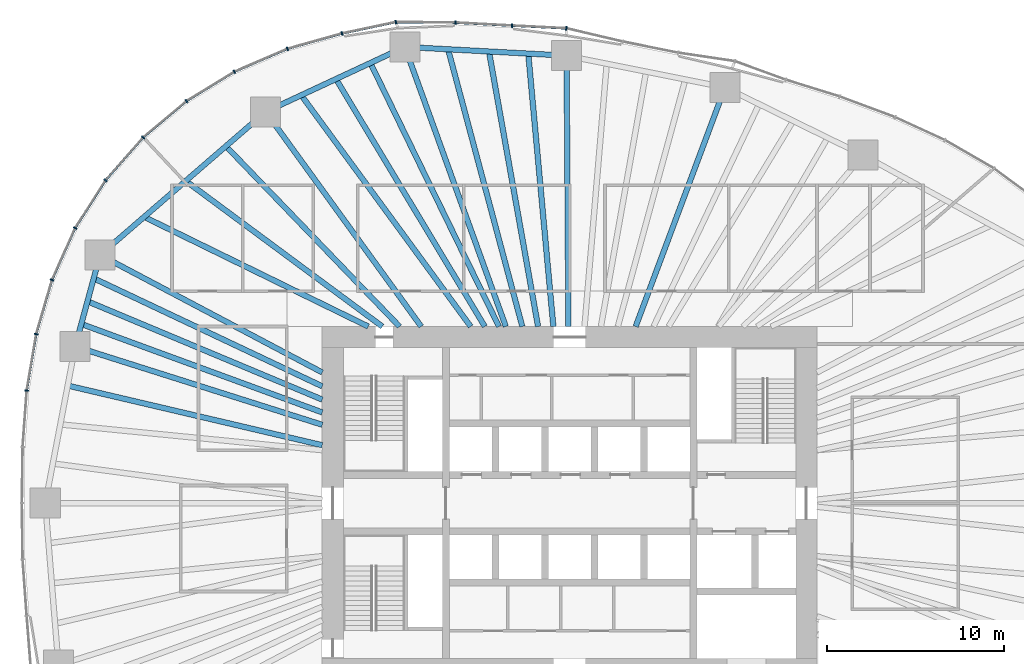
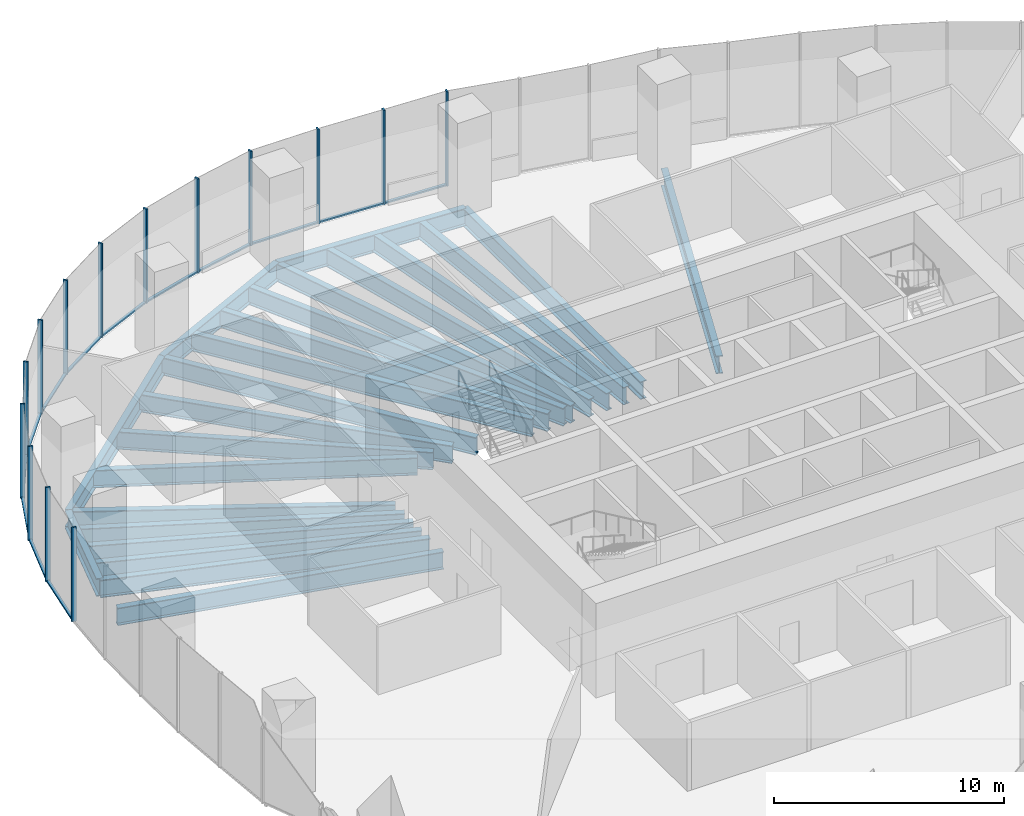
# One storey, part 5 of 19: 27 members, 23 beams, 5 elements without a shape of their own.
"""IFC4 building model written with IfcOpenShell, lengths in metres."""

from ifc_helpers import new_model, si_unit, direction, frame, origin, origin_2d, place, context, subcontext, project, spatial, rectangle, i_section, extrude, material, material_profile, profile_set, type_object, element, aggregate, save


model = new_model("IFC4")

# Units and contexts
model_context = context("Model", 3, precision=1e-05, world=origin(), true_north=direction((0.0, 1.0)))
body_context = subcontext(model_context, "Body", "Model", "MODEL_VIEW")
ifc_project = project(units=[si_unit("LENGTHUNIT", "METRE"), si_unit("AREAUNIT", "SQUARE_METRE"), si_unit("VOLUMEUNIT", "CUBIC_METRE"), si_unit("PLANEANGLEUNIT", "RADIAN"), si_unit("MASSUNIT", "GRAM", prefix="KILO")], contexts=[model_context])

# Site, building, storey
site_placement = place(None, origin())
site = spatial("IfcSite", under=ifc_project, at=site_placement, CompositionType="ELEMENT")
building_placement = place(site_placement, origin())
building = spatial("IfcBuilding", under=site, at=building_placement, Name="Ghaith Harvest Tower", CompositionType="ELEMENT")
storey_placement = place(building_placement, frame((0.0, 0.0, 70.0)))
storey = spatial("IfcBuildingStorey", under=building, at=storey_placement, Name="L14", CompositionType="ELEMENT", Elevation=70.0)

# Curtain wall, members
ifc_material_1 = material(Name="Black anodised aluminium and fritted glass", Category="aluminium")
curtain_wall_type = type_object("IfcCurtainWallType", Name="CW-F CURTAIN WALL", PredefinedType="NOTDEFINED", material=ifc_material_1)
curtain_wall_1_placement = place(storey_placement, origin())
curtain_wall_1 = element("IfcCurtainWall", 1, at=curtain_wall_1_placement, inside=storey, type_object=curtain_wall_type, Name="Curtain wall CW-F bay 06 L14", PredefinedType="NOTDEFINED")
ifc_material_2 = material(Name="Aluminium, black anodised", Category="aluminium")
ifc_material_profile_1 = material_profile(ifc_material_2, rectangle(XDim=0.080078125, YDim=0.219970703125, at=origin_2d()), Name="CW-F MULLION 80x220")
ifc_profile_set_1 = profile_set([ifc_material_profile_1], Name="Aluminium, black anodised")
member_type_1 = type_object("IfcMemberType", Name="CW-F MULLION 80x220", PredefinedType="MULLION", material=ifc_profile_set_1)
member_1_placement = place(storey_placement, frame((-0.183837890625, 26.877197265625, 0.0), z_axis=(0.0, 0.0, 1.0), x_axis=(-0.98971187143, 0.143074845976, 0.0)))
member_1 = element("IfcMember", 2, at=member_1_placement, type_object=member_type_1, Name="CW-F mullion 1 bay 06 L14", PredefinedType="MULLION", context=body_context, shape_type="SweptSolid", body=[
    extrude(rectangle(XDim=0.080078125, YDim=0.219970703125, at=origin_2d()), origin(), (0.0, 0.0, 1.0), 5.0),
])
member_2_placement = place(storey_placement, frame((-3.261962890625, 27.02978515625, 0.0), z_axis=(0.0, 0.0, 1.0), x_axis=(-0.998666923291, 0.051617597049, 0.0)))
member_2 = element("IfcMember", 3, at=member_2_placement, type_object=member_type_1, Name="CW-F mullion 2 bay 06 L14", PredefinedType="MULLION", context=body_context, shape_type="SweptSolid", body=[
    extrude(rectangle(XDim=0.080078125, YDim=0.219970703125, at=origin_2d()), origin(), (0.0, 0.0, 1.0), 5.0),
])
member_3_placement = place(storey_placement, frame((-6.465087890625, 27.20166015625, 0.0), z_axis=(0.0, 0.0, 1.0), x_axis=(-0.999527102163, 0.030750155138, 0.0)))
member_3 = element("IfcMember", 4, at=member_3_placement, type_object=member_type_1, Name="CW-F mullion 3 bay 06 L14", PredefinedType="MULLION", context=body_context, shape_type="SweptSolid", body=[
    extrude(rectangle(XDim=0.080078125, YDim=0.219970703125, at=origin_2d()), origin(), (0.0, 0.0, 1.0), 5.0),
])

curtain_wall_2_placement = place(storey_placement, origin())
curtain_wall_2 = element("IfcCurtainWall", 5, at=curtain_wall_2_placement, inside=storey, type_object=curtain_wall_type, Name="Curtain wall CW-F bay 07 L14", PredefinedType="NOTDEFINED")
member_4_placement = place(storey_placement, frame((-9.835693359375, 27.232177734375, 0.0), z_axis=(0.0, 0.0, 1.0), x_axis=(-0.995408459337, -0.095718332001, 0.0)))
member_4 = element("IfcMember", 6, at=member_4_placement, type_object=member_type_1, Name="CW-F mullion 1 bay 07 L14", PredefinedType="MULLION", context=body_context, shape_type="SweptSolid", body=[
    extrude(rectangle(XDim=0.080078125, YDim=0.219970703125, at=origin_2d()), origin(), (0.0, 0.0, 1.0), 5.0),
])
member_5_placement = place(storey_placement, frame((-12.880615234375, 26.5849609375, 0.0), z_axis=(0.0, 0.0, 1.0), x_axis=(-0.970824511782, -0.239791091, 0.0)))
member_5 = element("IfcMember", 7, at=member_5_placement, type_object=member_type_1, Name="CW-F mullion 2 bay 07 L14", PredefinedType="MULLION", context=body_context, shape_type="SweptSolid", body=[
    extrude(rectangle(XDim=0.080078125, YDim=0.219970703125, at=origin_2d()), origin(), (0.0, 0.0, 1.0), 5.0),
])
member_6_placement = place(storey_placement, frame((-15.97119140625, 25.716552734375, 0.0), z_axis=(0.0, 0.0, 1.0), x_axis=(-0.942293550527, -0.334787790451, 0.0)))
member_6 = element("IfcMember", 8, at=member_6_placement, type_object=member_type_1, Name="CW-F mullion 3 bay 07 L14", PredefinedType="MULLION", context=body_context, shape_type="SweptSolid", body=[
    extrude(rectangle(XDim=0.080078125, YDim=0.219970703125, at=origin_2d()), origin(), (0.0, 0.0, 1.0), 5.0),
])

curtain_wall_3_placement = place(storey_placement, origin())
curtain_wall_3 = element("IfcCurtainWall", 9, at=curtain_wall_3_placement, inside=storey, type_object=curtain_wall_type, Name="Curtain wall CW-F bay 08 L14", PredefinedType="NOTDEFINED")
member_7_placement = place(storey_placement, frame((-18.96728515625, 24.42236328125, 0.0), z_axis=(0.0, 0.0, 1.0), x_axis=(-0.887912253252, -0.460012859086, 0.0)))
member_7 = element("IfcMember", 10, at=member_7_placement, type_object=member_type_1, Name="CW-F mullion 1 bay 08 L14", PredefinedType="MULLION", context=body_context, shape_type="SweptSolid", body=[
    extrude(rectangle(XDim=0.080078125, YDim=0.219970703125, at=origin_2d()), origin(), (0.0, 0.0, 1.0), 5.0),
])
member_8_placement = place(storey_placement, frame((-21.681640625, 22.758056640625, 0.0), z_axis=(0.0, 0.0, 1.0), x_axis=(-0.811400750439, -0.584490224202, 0.0)))
member_8 = element("IfcMember", 11, at=member_8_placement, type_object=member_type_1, Name="CW-F mullion 2 bay 08 L14", PredefinedType="MULLION", context=body_context, shape_type="SweptSolid", body=[
    extrude(rectangle(XDim=0.080078125, YDim=0.219970703125, at=origin_2d()), origin(), (0.0, 0.0, 1.0), 5.0),
])
member_9_placement = place(storey_placement, frame((-24.139404296875, 20.696533203125, 0.0), z_axis=(0.0, 0.0, 1.0), x_axis=(-0.714663248213, -0.699468685256, 0.0)))
member_9 = element("IfcMember", 12, at=member_9_placement, type_object=member_type_1, Name="CW-F mullion 3 bay 08 L14", PredefinedType="MULLION", context=body_context, shape_type="SweptSolid", body=[
    extrude(rectangle(XDim=0.080078125, YDim=0.219970703125, at=origin_2d()), origin(), (0.0, 0.0, 1.0), 5.0),
])

curtain_wall_4_placement = place(storey_placement, origin())
curtain_wall_4 = element("IfcCurtainWall", 13, at=curtain_wall_4_placement, inside=storey, type_object=curtain_wall_type, Name="Curtain wall CW-F bay 09 L14", PredefinedType="NOTDEFINED")
member_10_placement = place(storey_placement, frame((-26.26318359375, 18.274169921875, 0.0), z_axis=(0.0, 0.0, 1.0), x_axis=(-0.599861600644, -0.800103780814, 0.0)))
member_10 = element("IfcMember", 14, at=member_10_placement, type_object=member_type_1, Name="CW-F mullion 1 bay 09 L14", PredefinedType="MULLION", context=body_context, shape_type="SweptSolid", body=[
    extrude(rectangle(XDim=0.080078125, YDim=0.219970703125, at=origin_2d()), origin(), (0.0, 0.0, 1.0), 5.0),
])
member_11_placement = place(storey_placement, frame((-27.986328125, 15.5654296875, 0.0), z_axis=(0.0, 0.0, 1.0), x_axis=(-0.473265082758, -0.880920065297, 0.0)))
member_11 = element("IfcMember", 15, at=member_11_placement, type_object=member_type_1, Name="CW-F mullion 2 bay 09 L14", PredefinedType="MULLION", context=body_context, shape_type="SweptSolid", body=[
    extrude(rectangle(XDim=0.080078125, YDim=0.219970703125, at=origin_2d()), origin(), (0.0, 0.0, 1.0), 5.0),
])
member_12_placement = place(storey_placement, frame((-29.29248046875, 12.63525390625, 0.0), z_axis=(0.0, 0.0, 1.0), x_axis=(-0.344618322502, -0.938742889079, 0.0)))
member_12 = element("IfcMember", 16, at=member_12_placement, type_object=member_type_1, Name="CW-F mullion 3 bay 09 L14", PredefinedType="MULLION", context=body_context, shape_type="SweptSolid", body=[
    extrude(rectangle(XDim=0.080078125, YDim=0.219970703125, at=origin_2d()), origin(), (0.0, 0.0, 1.0), 5.0),
])

curtain_wall_5_placement = place(storey_placement, origin())
curtain_wall_5 = element("IfcCurtainWall", 17, at=curtain_wall_5_placement, inside=storey, type_object=curtain_wall_type, Name="Curtain wall CW-F bay 10 L14", PredefinedType="NOTDEFINED")
member_13_placement = place(storey_placement, frame((-30.1884765625, 9.567138671875, 0.0), z_axis=(0.0, 0.0, 1.0), x_axis=(-0.222967363645, -0.97482590997, 0.0)))
member_13 = element("IfcMember", 18, at=member_13_placement, type_object=member_type_1, Name="CW-F mullion 1 bay 10 L14", PredefinedType="MULLION", context=body_context, shape_type="SweptSolid", body=[
    extrude(rectangle(XDim=0.080078125, YDim=0.219970703125, at=origin_2d()), origin(), (0.0, 0.0, 1.0), 5.0),
])
member_14_placement = place(storey_placement, frame((-30.724365234375, 6.37548828125, 0.0), z_axis=(0.0, 0.0, 1.0), x_axis=(-0.119352816132, -0.99285190501, 0.0)))
member_14 = element("IfcMember", 19, at=member_14_placement, type_object=member_type_1, Name="CW-F mullion 2 bay 10 L14", PredefinedType="MULLION", context=body_context, shape_type="SweptSolid", body=[
    extrude(rectangle(XDim=0.080078125, YDim=0.219970703125, at=origin_2d()), origin(), (0.0, 0.0, 1.0), 5.0),
])

# Member
ifc_material_3 = material(Name="Aluminium, black anodised", Category="aluminium")
ifc_material_profile_2 = material_profile(ifc_material_3, rectangle(XDim=0.139892578125, YDim=0.080078125, at=origin_2d()), Name="CW-F TRANSOM 140x80")
ifc_profile_set_2 = profile_set([ifc_material_profile_2], Name="Aluminium, black anodised")
member_type_2 = type_object("IfcMemberType", Name="CW-F TRANSOM 140x80", PredefinedType="USERDEFINED", material=ifc_profile_set_2)
member_15_placement = place(storey_placement, frame((-0.223876953125, 26.879150390625, 0.0400390625), z_axis=(-0.998772539109, 0.049531960612, 0.0), x_axis=(-0.049531960612, -0.998772539109, 0.0)))
member_15 = element("IfcMember", 20, at=member_15_placement, type_object=member_type_2, Name="CW-F transom 1 bay 06 L14", ObjectType="TRANSOM", PredefinedType="USERDEFINED", context=body_context, shape_type="SweptSolid", body=[
    extrude(rectangle(XDim=0.139892578125, YDim=0.080078125, at=origin_2d()), origin(), (0.0, 0.0, 1.0), 3.001708984375),
])

member_16_placement = place(storey_placement, frame((-3.3017578125, 27.031982421875, 0.0400390625), z_axis=(-0.99856142387, 0.053619798202, 0.0), x_axis=(-0.053619798202, -0.99856142387, 0.0)))
member_16 = element("IfcMember", 21, at=member_16_placement, type_object=member_type_2, Name="CW-F transom 2 bay 06 L14", ObjectType="TRANSOM", PredefinedType="USERDEFINED", context=body_context, shape_type="SweptSolid", body=[
    extrude(rectangle(XDim=0.139892578125, YDim=0.080078125, at=origin_2d()), origin(), (0.0, 0.0, 1.0), 3.1279296875),
])

member_17_placement = place(storey_placement, frame((-6.505126953125, 27.2021484375, 0.0400390625), z_axis=(-0.999959703847, 0.008977231352, 0.0), x_axis=(-0.008977231352, -0.999959703847, 0.0)))
member_17 = element("IfcMember", 22, at=member_17_placement, type_object=member_type_2, Name="CW-F transom 3 bay 06 L14", ObjectType="TRANSOM", PredefinedType="USERDEFINED", context=body_context, shape_type="SweptSolid", body=[
    extrude(rectangle(XDim=0.139892578125, YDim=0.080078125, at=origin_2d()), origin(), (0.0, 0.0, 1.0), 3.290771484375),
])

aggregate(curtain_wall_1, [member_1, member_15, member_2, member_16, member_3, member_17])

member_18_placement = place(storey_placement, frame((-9.874755859375, 27.2236328125, 0.0400390625), z_axis=(-0.978160283029, -0.207852016359, 0.0), x_axis=(0.207852016359, -0.978160283029, 0.0)))
member_18 = element("IfcMember", 23, at=member_18_placement, type_object=member_type_2, Name="CW-F transom 1 bay 07 L14", ObjectType="TRANSOM", PredefinedType="USERDEFINED", context=body_context, shape_type="SweptSolid", body=[
    extrude(rectangle(XDim=0.139892578125, YDim=0.080078125, at=origin_2d()), origin(), (0.0, 0.0, 1.0), 3.03271484375),
])

member_19_placement = place(storey_placement, frame((-12.9189453125, 26.573974609375, 0.0400390625), z_axis=(-0.962727128991, -0.270474536888, 0.0), x_axis=(0.270474536888, -0.962727128991, 0.0)))
member_19 = element("IfcMember", 24, at=member_19_placement, type_object=member_type_2, Name="CW-F transom 2 bay 07 L14", ObjectType="TRANSOM", PredefinedType="USERDEFINED", context=body_context, shape_type="SweptSolid", body=[
    extrude(rectangle(XDim=0.139892578125, YDim=0.080078125, at=origin_2d()), origin(), (0.0, 0.0, 1.0), 3.13037109375),
])

member_20_placement = place(storey_placement, frame((-16.008056640625, 25.70068359375, 0.0400390625), z_axis=(-0.9180027124, -0.396574104079, 0.0), x_axis=(0.396574104079, -0.9180027124, 0.0)))
member_20 = element("IfcMember", 25, at=member_20_placement, type_object=member_type_2, Name="CW-F transom 3 bay 07 L14", ObjectType="TRANSOM", PredefinedType="USERDEFINED", context=body_context, shape_type="SweptSolid", body=[
    extrude(rectangle(XDim=0.139892578125, YDim=0.080078125, at=origin_2d()), origin(), (0.0, 0.0, 1.0), 3.183349609375),
])

aggregate(curtain_wall_2, [member_4, member_18, member_5, member_19, member_6, member_20])

member_21_placement = place(storey_placement, frame((-19.001220703125, 24.4013671875, 0.0400390625), z_axis=(-0.852561687195, -0.522626606219, 0.0), x_axis=(0.522626606219, -0.852561687195, 0.0)))
member_21 = element("IfcMember", 26, at=member_21_placement, type_object=member_type_2, Name="CW-F transom 1 bay 08 L14", ObjectType="TRANSOM", PredefinedType="USERDEFINED", context=body_context, shape_type="SweptSolid", body=[
    extrude(rectangle(XDim=0.139892578125, YDim=0.080078125, at=origin_2d()), origin(), (0.0, 0.0, 1.0), 3.104248046875),
])

member_22_placement = place(storey_placement, frame((-21.71240234375, 22.732421875, 0.0400390625), z_axis=(-0.766144434184, -0.642668426149, 0.0), x_axis=(0.642668426149, -0.766144434184, 0.0)))
member_22 = element("IfcMember", 27, at=member_22_placement, type_object=member_type_2, Name="CW-F transom 2 bay 08 L14", ObjectType="TRANSOM", PredefinedType="USERDEFINED", context=body_context, shape_type="SweptSolid", body=[
    extrude(rectangle(XDim=0.139892578125, YDim=0.080078125, at=origin_2d()), origin(), (0.0, 0.0, 1.0), 3.1279296875),
])

member_23_placement = place(storey_placement, frame((-24.165771484375, 20.66650390625, 0.0400390625), z_axis=(-0.65923052982, -0.751940894322, 0.0), x_axis=(0.751940894322, -0.65923052982, 0.0)))
member_23 = element("IfcMember", 28, at=member_23_placement, type_object=member_type_2, Name="CW-F transom 3 bay 08 L14", ObjectType="TRANSOM", PredefinedType="USERDEFINED", context=body_context, shape_type="SweptSolid", body=[
    extrude(rectangle(XDim=0.139892578125, YDim=0.080078125, at=origin_2d()), origin(), (0.0, 0.0, 1.0), 3.1416015625),
])

aggregate(curtain_wall_3, [member_7, member_21, member_8, member_22, member_9, member_23])

member_24_placement = place(storey_placement, frame((-26.28466796875, 18.240234375, 0.0400390625), z_axis=(-0.536754366643, -0.843738555412, 0.0), x_axis=(0.843738555412, -0.536754366643, 0.0)))
member_24 = element("IfcMember", 29, at=member_24_placement, type_object=member_type_2, Name="CW-F transom 1 bay 09 L14", ObjectType="TRANSOM", PredefinedType="USERDEFINED", context=body_context, shape_type="SweptSolid", body=[
    extrude(rectangle(XDim=0.139892578125, YDim=0.080078125, at=origin_2d()), origin(), (0.0, 0.0, 1.0), 3.13037109375),
])

member_25_placement = place(storey_placement, frame((-28.002685546875, 15.52880859375, 0.0400390625), z_axis=(-0.407123143204, -0.913373278714, 0.0), x_axis=(0.913373278714, -0.407123143204, 0.0)))
member_25 = element("IfcMember", 30, at=member_25_placement, type_object=member_type_2, Name="CW-F transom 2 bay 09 L14", ObjectType="TRANSOM", PredefinedType="USERDEFINED", context=body_context, shape_type="SweptSolid", body=[
    extrude(rectangle(XDim=0.139892578125, YDim=0.080078125, at=origin_2d()), origin(), (0.0, 0.0, 1.0), 3.1279296875),
])

member_26_placement = place(storey_placement, frame((-29.3037109375, 12.596923828125, 0.0400390625), z_axis=(-0.280324903873, -0.959905176707, 0.0), x_axis=(0.959905176707, -0.280324903873, 0.0)))
member_26 = element("IfcMember", 31, at=member_26_placement, type_object=member_type_2, Name="CW-F transom 3 bay 09 L14", ObjectType="TRANSOM", PredefinedType="USERDEFINED", context=body_context, shape_type="SweptSolid", body=[
    extrude(rectangle(XDim=0.139892578125, YDim=0.080078125, at=origin_2d()), origin(), (0.0, 0.0, 1.0), 3.1162109375),
])

aggregate(curtain_wall_4, [member_10, member_24, member_11, member_25, member_12, member_26])

member_27_placement = place(storey_placement, frame((-30.195068359375, 9.52783203125, 0.0400390625), z_axis=(-0.165527763099, -0.986205130611, 0.0), x_axis=(0.986205130611, -0.165527763099, 0.0)))
member_27 = element("IfcMember", 32, at=member_27_placement, type_object=member_type_2, Name="CW-F transom 1 bay 10 L14", ObjectType="TRANSOM", PredefinedType="USERDEFINED", context=body_context, shape_type="SweptSolid", body=[
    extrude(rectangle(XDim=0.139892578125, YDim=0.080078125, at=origin_2d()), origin(), (0.0, 0.0, 1.0), 3.15625),
])

aggregate(curtain_wall_5, [member_13, member_27, member_14])

# Beams
ifc_material_4 = material(Name="Steel ASTM A992 Grade 50", Category="steel")
ifc_material_profile_3 = material_profile(ifc_material_4, i_section(OverallWidth=0.306884765625, OverallDepth=0.94189453125, WebThickness=0.022216796875, FlangeThickness=0.039794921875, at=origin_2d()), Name="W920X345")
ifc_profile_set_3 = profile_set([ifc_material_profile_3], Name="Steel ASTM A992 Grade 50")
beam_type_1 = type_object("IfcBeamType", Name="E920-345 W920X345", PredefinedType="SPANDREL", material=ifc_profile_set_3)
beam_1_placement = place(storey_placement, frame((-0.173095703125, 25.326904296875, -0.6708984375), z_axis=(-0.998545840532, 0.053909223293, 0.0), x_axis=(-0.053909223293, -0.998545840532, 0.0)))
element("IfcBeam", 33, at=beam_1_placement, inside=storey, type_object=beam_type_1, Name="Edge beam E06 L14", PredefinedType="SPANDREL", context=body_context, shape_type="SweptSolid", body=[
    extrude(i_section(OverallWidth=0.306884765625, OverallDepth=0.94189453125, WebThickness=0.022216796875, FlangeThickness=0.039794921875, at=origin_2d()), origin(), (0.0, 0.0, 1.0), 9.166259765625),
])
beam_2_placement = place(storey_placement, frame((-9.325927734375, 25.821044921875, -0.6708984375), z_axis=(-0.906373259523, -0.422477827137, 0.0), x_axis=(0.422477827137, -0.906373259523, 0.0)))
element("IfcBeam", 34, at=beam_2_placement, inside=storey, type_object=beam_type_1, Name="Edge beam E07 L14", PredefinedType="SPANDREL", context=body_context, shape_type="SweptSolid", body=[
    extrude(i_section(OverallWidth=0.306884765625, OverallDepth=0.94189453125, WebThickness=0.022216796875, FlangeThickness=0.039794921875, at=origin_2d()), origin(), (0.0, 0.0, 1.0), 8.689453125),
])
beam_3_placement = place(storey_placement, frame((-17.201904296875, 22.14990234375, -0.6708984375), z_axis=(-0.756392158274, -0.654118416574, 0.0), x_axis=(0.654118416574, -0.756392158274, 0.0)))
element("IfcBeam", 35, at=beam_3_placement, inside=storey, type_object=beam_type_1, Name="Edge beam E08 L14", PredefinedType="SPANDREL", context=body_context, shape_type="SweptSolid", body=[
    extrude(i_section(OverallWidth=0.306884765625, OverallDepth=0.94189453125, WebThickness=0.022216796875, FlangeThickness=0.039794921875, at=origin_2d()), origin(), (0.0, 0.0, 1.0), 12.38916015625),
])
beam_4_placement = place(storey_placement, frame((-26.572998046875, 14.0458984375, -0.6708984375), z_axis=(-0.262724740433, -0.964870825947, 0.0), x_axis=(0.964870825947, -0.262724740433, 0.0)))
element("IfcBeam", 36, at=beam_4_placement, inside=storey, type_object=beam_type_1, Name="Edge beam E09 L14", PredefinedType="SPANDREL", context=body_context, shape_type="SweptSolid", body=[
    extrude(i_section(OverallWidth=0.306884765625, OverallDepth=0.94189453125, WebThickness=0.022216796875, FlangeThickness=0.039794921875, at=origin_2d()), origin(), (0.0, 0.0, 1.0), 5.366455078125),
])
ifc_material_5 = material(Name="Steel ASTM A992 Grade 50", Category="steel")
ifc_material_profile_4 = material_profile(ifc_material_5, i_section(OverallWidth=0.306884765625, OverallDepth=0.94189453125, WebThickness=0.022216796875, FlangeThickness=0.039794921875, at=origin_2d()), Name="W920X345")
ifc_profile_set_4 = profile_set([ifc_material_profile_4], Name="Steel ASTM A992 Grade 50")
beam_type_2 = type_object("IfcBeamType", Name="G920-345 W920X345", PredefinedType="BEAM", material=ifc_profile_set_4)
beam_5_placement = place(storey_placement, frame((3.73828125, 10.0, -0.6708984375), z_axis=(0.350150596156, 0.936693418367, 0.0), x_axis=(-0.936693418367, 0.350150596156, 0.0)))
element("IfcBeam", 37, at=beam_5_placement, inside=storey, type_object=beam_type_2, Name="Radial girder G05 L14", PredefinedType="BEAM", context=body_context, shape_type="SweptSolid", body=[
    extrude(i_section(OverallWidth=0.306884765625, OverallDepth=0.94189453125, WebThickness=0.022216796875, FlangeThickness=0.039794921875, at=origin_2d()), origin(), (0.0, 0.0, 1.0), 14.44140625),
])
beam_6_placement = place(storey_placement, frame((-0.068359375, 10.0, -0.6708984375), z_axis=(-0.006833335732, 0.999976652489, 0.0), x_axis=(-0.999976652489, -0.006833335732, 0.0)))
element("IfcBeam", 38, at=beam_6_placement, inside=storey, type_object=beam_type_2, Name="Radial girder G06 L14", PredefinedType="BEAM", context=body_context, shape_type="SweptSolid", body=[
    extrude(i_section(OverallWidth=0.306884765625, OverallDepth=0.94189453125, WebThickness=0.022216796875, FlangeThickness=0.039794921875, at=origin_2d()), origin(), (0.0, 0.0, 1.0), 15.3271484375),
])
beam_7_placement = place(storey_placement, frame((-3.61181640625, 10.0, -0.6708984375), z_axis=(-0.339694751271, 0.940535738799, 0.0), x_axis=(-0.940535738799, -0.339694751271, 0.0)))
element("IfcBeam", 39, at=beam_7_placement, inside=storey, type_object=beam_type_2, Name="Radial girder G07 L14", PredefinedType="BEAM", context=body_context, shape_type="SweptSolid", body=[
    extrude(i_section(OverallWidth=0.306884765625, OverallDepth=0.94189453125, WebThickness=0.022216796875, FlangeThickness=0.039794921875, at=origin_2d()), origin(), (0.0, 0.0, 1.0), 16.8212890625),
])
beam_8_placement = place(storey_placement, frame((-8.39990234375, 10.0, -0.6708984375), z_axis=(-0.586675813287, 0.809821887889, 0.0), x_axis=(-0.809821887889, -0.586675813287, 0.0)))
element("IfcBeam", 40, at=beam_8_placement, inside=storey, type_object=beam_type_2, Name="Radial girder G08 L14", PredefinedType="BEAM", context=body_context, shape_type="SweptSolid", body=[
    extrude(i_section(OverallWidth=0.306884765625, OverallDepth=0.94189453125, WebThickness=0.022216796875, FlangeThickness=0.039794921875, at=origin_2d()), origin(), (0.0, 0.0, 1.0), 15.003173828125),
])
beam_9_placement = place(storey_placement, frame((-14.0, 7.39990234375, -0.6708984375), z_axis=(-0.88408713845, 0.467322085533, 0.0), x_axis=(-0.467322085533, -0.88408713845, 0.0)))
element("IfcBeam", 41, at=beam_9_placement, inside=storey, type_object=beam_type_2, Name="Radial girder G09 L14", PredefinedType="BEAM", context=body_context, shape_type="SweptSolid", body=[
    extrude(i_section(OverallWidth=0.306884765625, OverallDepth=0.94189453125, WebThickness=0.022216796875, FlangeThickness=0.039794921875, at=origin_2d()), origin(), (0.0, 0.0, 1.0), 14.221435546875),
])
beam_10_placement = place(storey_placement, frame((-14.0, 4.43701171875, -0.6708984375), z_axis=(-0.953283605796, 0.302076756671, 0.0), x_axis=(-0.302076756671, -0.953283605796, 0.0)))
element("IfcBeam", 42, at=beam_10_placement, inside=storey, type_object=beam_type_2, Name="Radial girder G10 L14", PredefinedType="BEAM", context=body_context, shape_type="SweptSolid", body=[
    extrude(i_section(OverallWidth=0.306884765625, OverallDepth=0.94189453125, WebThickness=0.022216796875, FlangeThickness=0.039794921875, at=origin_2d()), origin(), (0.0, 0.0, 1.0), 14.668212890625),
])
ifc_material_6 = material(Name="Steel ASTM A992 Grade 50", Category="steel")
ifc_material_profile_5 = material_profile(ifc_material_6, i_section(OverallWidth=0.31005859375, OverallDepth=0.927001953125, WebThickness=0.019287109375, FlangeThickness=0.031982421875, at=origin_2d()), Name="W920X289")
ifc_profile_set_5 = profile_set([ifc_material_profile_5], Name="Steel ASTM A992 Grade 50")
beam_type_3 = type_object("IfcBeamType", Name="J920-289 W920X289", PredefinedType="JOIST", material=ifc_profile_set_5)
beam_11_placement = place(storey_placement, frame((-0.92041015625, 10.0, -0.66357421875), z_axis=(-0.091647013776, 0.995791556936, 0.0), x_axis=(-0.995791556936, -0.091647013776, 0.0)))
element("IfcBeam", 43, at=beam_11_placement, inside=storey, type_object=beam_type_3, Name="Joist J06.1 L14", PredefinedType="JOIST", context=body_context, shape_type="SweptSolid", body=[
    extrude(i_section(OverallWidth=0.31005859375, OverallDepth=0.927001953125, WebThickness=0.019287109375, FlangeThickness=0.031982421875, at=origin_2d()), origin(), (0.0, 0.0, 1.0), 15.50927734375),
])
beam_12_placement = place(storey_placement, frame((-1.785888671875, 10.0, -0.66357421875), z_axis=(-0.175789035136, 0.984427861819, 0.0), x_axis=(-0.984427861819, -0.175789035136, 0.0)))
element("IfcBeam", 44, at=beam_12_placement, inside=storey, type_object=beam_type_3, Name="Joist J06.2 L14", PredefinedType="JOIST", context=body_context, shape_type="SweptSolid", body=[
    extrude(i_section(OverallWidth=0.31005859375, OverallDepth=0.927001953125, WebThickness=0.019287109375, FlangeThickness=0.031982421875, at=origin_2d()), origin(), (0.0, 0.0, 1.0), 15.810302734375),
])
beam_13_placement = place(storey_placement, frame((-10.60009765625, 10.0, -0.66357421875), z_axis=(-0.803663089107, 0.595084564752, 0.0), x_axis=(-0.595084564752, -0.803663089107, 0.0)))
element("IfcBeam", 45, at=beam_13_placement, inside=storey, type_object=beam_type_3, Name="Joist J08.2 L14", PredefinedType="JOIST", context=body_context, shape_type="SweptSolid", body=[
    extrude(i_section(OverallWidth=0.31005859375, OverallDepth=0.927001953125, WebThickness=0.019287109375, FlangeThickness=0.031982421875, at=origin_2d()), origin(), (0.0, 0.0, 1.0), 13.843505859375),
])
beam_14_placement = place(storey_placement, frame((-11.39990234375, 10.0, -0.66357421875), z_axis=(-0.898274832354, 0.439434096946, 0.0), x_axis=(-0.439434096946, -0.898274832354, 0.0)))
element("IfcBeam", 46, at=beam_14_placement, inside=storey, type_object=beam_type_3, Name="Joist J08.3 L14", PredefinedType="JOIST", context=body_context, shape_type="SweptSolid", body=[
    extrude(i_section(OverallWidth=0.31005859375, OverallDepth=0.927001953125, WebThickness=0.019287109375, FlangeThickness=0.031982421875, at=origin_2d()), origin(), (0.0, 0.0, 1.0), 14.114990234375),
])
beam_15_placement = place(storey_placement, frame((-14.0, 6.614990234375, -0.66357421875), z_axis=(-0.904153428261, 0.427207886354, 0.0), x_axis=(-0.427207886354, -0.904153428261, 0.0)))
element("IfcBeam", 47, at=beam_15_placement, inside=storey, type_object=beam_type_3, Name="Joist J09.1 L14", PredefinedType="JOIST", context=body_context, shape_type="SweptSolid", body=[
    extrude(i_section(OverallWidth=0.31005859375, OverallDepth=0.927001953125, WebThickness=0.019287109375, FlangeThickness=0.031982421875, at=origin_2d()), origin(), (0.0, 0.0, 1.0), 14.303466796875),
])
beam_16_placement = place(storey_placement, frame((-14.0, 5.862548828125, -0.66357421875), z_axis=(-0.922385943167, 0.38626955853, 0.0), x_axis=(-0.38626955853, -0.922385943167, 0.0)))
element("IfcBeam", 48, at=beam_16_placement, inside=storey, type_object=beam_type_3, Name="Joist J09.2 L14", PredefinedType="JOIST", context=body_context, shape_type="SweptSolid", body=[
    extrude(i_section(OverallWidth=0.31005859375, OverallDepth=0.927001953125, WebThickness=0.019287109375, FlangeThickness=0.031982421875, at=origin_2d()), origin(), (0.0, 0.0, 1.0), 14.404296875),
])
beam_17_placement = place(storey_placement, frame((-14.0, 5.137939453125, -0.66357421875), z_axis=(-0.93877541132, 0.344529718748, 0.0), x_axis=(-0.344529718748, -0.93877541132, 0.0)))
element("IfcBeam", 49, at=beam_17_placement, inside=storey, type_object=beam_type_3, Name="Joist J09.3 L14", PredefinedType="JOIST", context=body_context, shape_type="SweptSolid", body=[
    extrude(i_section(OverallWidth=0.31005859375, OverallDepth=0.927001953125, WebThickness=0.019287109375, FlangeThickness=0.031982421875, at=origin_2d()), origin(), (0.0, 0.0, 1.0), 14.525390625),
])
beam_18_placement = place(storey_placement, frame((-14.0, 3.280517578125, -0.66357421875), z_axis=(-0.973623012228, 0.228162727151, 0.0), x_axis=(-0.228162727151, -0.973623012228, 0.0)))
element("IfcBeam", 50, at=beam_18_placement, inside=storey, type_object=beam_type_3, Name="Joist J10.1 L14", PredefinedType="JOIST", context=body_context, shape_type="SweptSolid", body=[
    extrude(i_section(OverallWidth=0.31005859375, OverallDepth=0.927001953125, WebThickness=0.019287109375, FlangeThickness=0.031982421875, at=origin_2d()), origin(), (0.0, 0.0, 1.0), 14.795166015625),
])
ifc_material_7 = material(Name="Steel ASTM A992 Grade 50", Category="steel")
ifc_material_profile_6 = material_profile(ifc_material_7, i_section(OverallWidth=0.306884765625, OverallDepth=0.94189453125, WebThickness=0.022216796875, FlangeThickness=0.039794921875, at=origin_2d()), Name="W920X345")
ifc_profile_set_6 = profile_set([ifc_material_profile_6], Name="Steel ASTM A992 Grade 50")
beam_type_4 = type_object("IfcBeamType", Name="J920-345 W920X345", PredefinedType="JOIST", material=ifc_profile_set_6)
beam_19_placement = place(storey_placement, frame((-2.677978515625, 10.0, -0.6708984375), z_axis=(-0.258679482451, 0.965963211183, 0.0), x_axis=(-0.965963211183, -0.258679482451, 0.0)))
element("IfcBeam", 51, at=beam_19_placement, inside=storey, type_object=beam_type_4, Name="Joist J06.3 L14", PredefinedType="JOIST", context=body_context, shape_type="SweptSolid", body=[
    extrude(i_section(OverallWidth=0.306884765625, OverallDepth=0.94189453125, WebThickness=0.022216796875, FlangeThickness=0.039794921875, at=origin_2d()), origin(), (0.0, 0.0, 1.0), 16.24169921875),
])
beam_20_placement = place(storey_placement, frame((-4.0, 10.0, -0.6708984375), z_axis=(-0.438505380705, 0.898728563635, 0.0), x_axis=(-0.898728563635, -0.438505380705, 0.0)))
element("IfcBeam", 52, at=beam_20_placement, inside=storey, type_object=beam_type_4, Name="Joist J07.1 L14", PredefinedType="JOIST", context=body_context, shape_type="SweptSolid", body=[
    extrude(i_section(OverallWidth=0.306884765625, OverallDepth=0.94189453125, WebThickness=0.022216796875, FlangeThickness=0.039794921875, at=origin_2d()), origin(), (0.0, 0.0, 1.0), 16.592529296875),
])
beam_21_placement = place(storey_placement, frame((-4.800048828125, 10.0, -0.6708984375), z_axis=(-0.515358894704, 0.85697445099, 0.0), x_axis=(-0.85697445099, -0.515358894704, 0.0)))
element("IfcBeam", 53, at=beam_21_placement, inside=storey, type_object=beam_type_4, Name="Joist J07.2 L14", PredefinedType="JOIST", context=body_context, shape_type="SweptSolid", body=[
    extrude(i_section(OverallWidth=0.306884765625, OverallDepth=0.94189453125, WebThickness=0.022216796875, FlangeThickness=0.039794921875, at=origin_2d()), origin(), (0.0, 0.0, 1.0), 16.34228515625),
])
beam_22_placement = place(storey_placement, frame((-5.60009765625, 10.0, -0.6708984375), z_axis=(-0.591008736068, 0.806665155992, 0.0), x_axis=(-0.806665155992, -0.591008736068, 0.0)))
element("IfcBeam", 54, at=beam_22_placement, inside=storey, type_object=beam_type_4, Name="Joist J07.3 L14", PredefinedType="JOIST", context=body_context, shape_type="SweptSolid", body=[
    extrude(i_section(OverallWidth=0.306884765625, OverallDepth=0.94189453125, WebThickness=0.022216796875, FlangeThickness=0.039794921875, at=origin_2d()), origin(), (0.0, 0.0, 1.0), 16.22509765625),
])
beam_23_placement = place(storey_placement, frame((-9.626708984375, 10.0, -0.6708984375), z_axis=(-0.693535693616, 0.720422266231, 0.0), x_axis=(-0.720422266231, -0.693535693616, 0.0)))
element("IfcBeam", 55, at=beam_23_placement, inside=storey, type_object=beam_type_4, Name="Joist J08.1 L14", PredefinedType="JOIST", context=body_context, shape_type="SweptSolid", body=[
    extrude(i_section(OverallWidth=0.306884765625, OverallDepth=0.94189453125, WebThickness=0.022216796875, FlangeThickness=0.039794921875, at=origin_2d()), origin(), (0.0, 0.0, 1.0), 14.16552734375),
])

save(model, "model.ifc")
